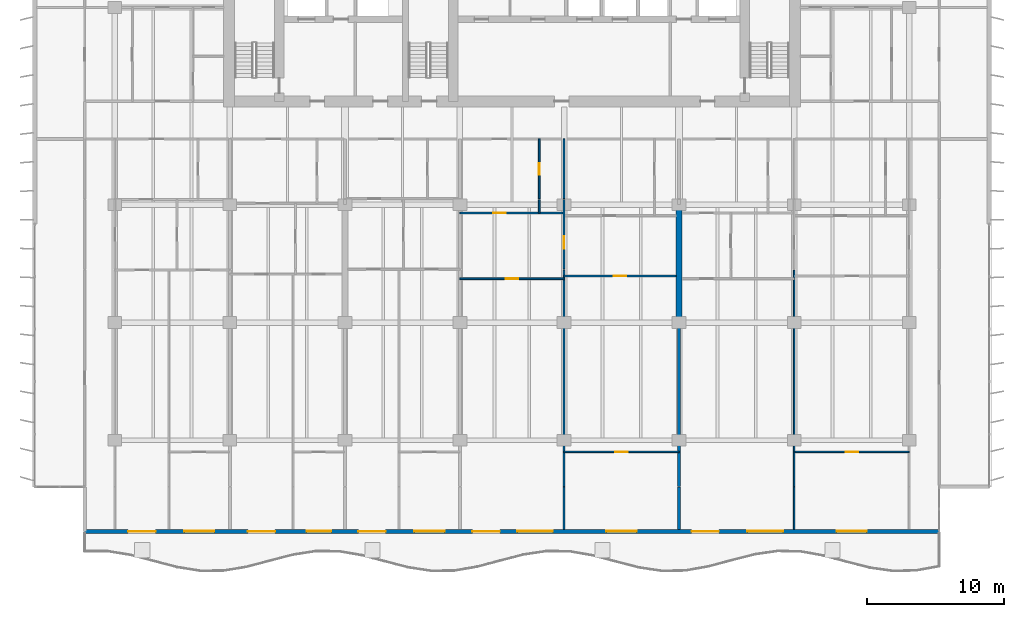
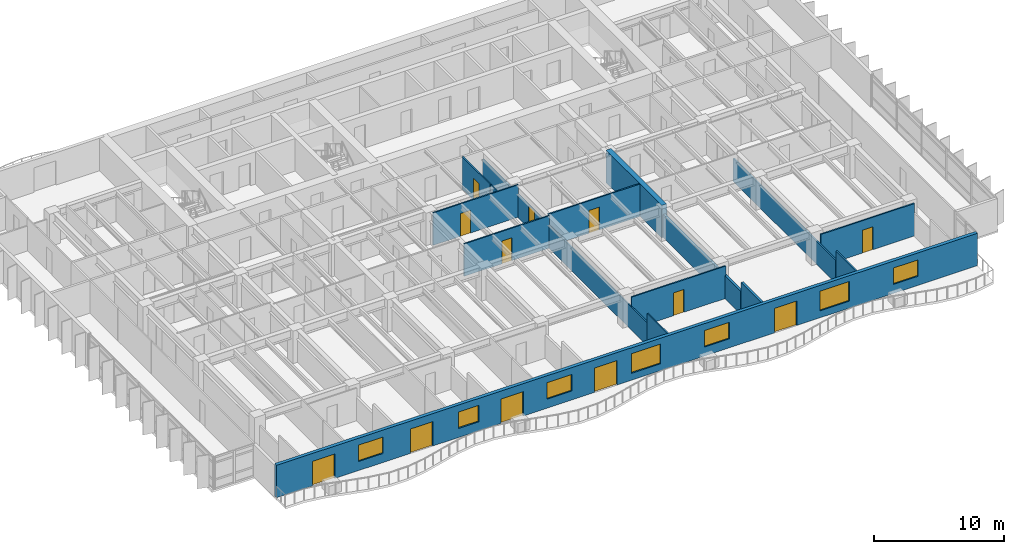
# One storey, part 8 of 16: 17 walls, 12 doors, 7 windows, 19 openings.
"""IFC4 building model written with IfcOpenShell, lengths in metres."""

from ifc_helpers import new_model, si_unit, direction, frame, frame_2d, origin, place, context, subcontext, project, spatial, rectangle, extrude, material, layer, layer_set, type_object, element, fill, save


model = new_model("IFC4")

# Units and contexts
model_context = context("Model", 3, precision=1e-05, world=origin(), true_north=direction((0.0, 1.0)))
body_context = subcontext(model_context, "Body", "Model", "MODEL_VIEW")
ifc_project = project(units=[si_unit("LENGTHUNIT", "METRE"), si_unit("AREAUNIT", "SQUARE_METRE"), si_unit("VOLUMEUNIT", "CUBIC_METRE"), si_unit("PLANEANGLEUNIT", "RADIAN"), si_unit("MASSUNIT", "GRAM", prefix="KILO")], contexts=[model_context])

# Site, building, storey
site_placement = place(None, origin())
site = spatial("IfcSite", under=ifc_project, at=site_placement, CompositionType="ELEMENT")
building_placement = place(site_placement, origin())
building = spatial("IfcBuilding", under=site, at=building_placement, Name="Caelmar Bay Residences", CompositionType="ELEMENT")
storey_placement = place(building_placement, frame((0.0, 0.0, 145.5)))
storey = spatial("IfcBuildingStorey", under=building, at=storey_placement, Name="L40", CompositionType="ELEMENT", Elevation=145.5)

# Wall
ifc_material_1 = material(Name="Concrete f'c 55 MPa (8,000 psi)", Category="concrete")
ifc_layer_1 = layer(ifc_material_1, 0.449951171875)
ifc_layer_set_1 = layer_set([ifc_layer_1], Name="Concrete f'c 55 MPa (8,000 psi)")
wall_type_1 = type_object("IfcWallType", Name="SW-XSLB-450", PredefinedType="SHEAR", material=ifc_layer_set_1)
wall_1_placement = place(storey_placement, frame((51.10009765625, 20.800048828125, 0.0), z_axis=(0.0, 0.0, 1.0), x_axis=(0.0, 1.0, 0.0)))
element("IfcWall", 1, at=wall_1_placement, inside=storey, type_object=wall_type_1, Name="L40 Transverse Cross-Slab Shear Wall E8", PredefinedType="SHEAR", context=body_context, shape_type="SweptSolid", body=[
    extrude(rectangle(XDim=8.599853515625, YDim=0.449951171875, at=frame_2d((4.2998046875, 0.0))), origin(), (0.0, 0.0, 1.0), 3.050048828125),
])

# Wall, openings, doors, windows
ifc_material_2 = material(Name="Precast concrete f'c 40 MPa (6,000 psi)", Category="concrete")
ifc_layer_2 = layer(ifc_material_2, 0.300048828125)
ifc_layer_set_2 = layer_set([ifc_layer_2], Name="Precast concrete f'c 40 MPa (6,000 psi)")
wall_type_2 = type_object("IfcWallType", Name="W-EXT-300", PredefinedType="STANDARD", material=ifc_layer_set_2)
wall_2_placement = place(storey_placement, frame((70.10009765625, 5.550048828125, 0.0), z_axis=(0.0, 0.0, 1.0), x_axis=(-1.0, 0.0, 0.0)))
wall_2 = element("IfcWall", 2, at=wall_2_placement, inside=storey, type_object=wall_type_2, Name="L40 South Bayfront Exterior Wall", PredefinedType="STANDARD", context=body_context, shape_type="SweptSolid", body=[
    extrude(rectangle(XDim=62.400146484375, YDim=0.300048828125, at=frame_2d((31.2001953125, 0.0))), origin(), (0.0, 0.0, 1.0), 3.050048828125),
])
opening_1_placement = place(wall_2_placement, frame((57.22607421875, 0.0, 0.0)))
opening_1 = element("IfcOpeningElement", 3, at=opening_1_placement, cuts=wall_2, Name="Opening L40-BD01", PredefinedType="OPENING", context=body_context, shape_type="SweptSolid", body=[
    extrude(rectangle(XDim=2.0, YDim=2.300048828125, at=frame_2d((1.0, 1.14990234375))), frame((0.0, 0.159912109375, 0.0), z_axis=(0.0, -1.0, 0.0), x_axis=(1.0, 0.0, 0.0)), (0.0, 0.0, 1.0), 0.320068359375),
])
opening_2_placement = place(wall_2_placement, frame((52.926025390625, 0.0, 0.85009765625)))
opening_2 = element("IfcOpeningElement", 4, at=opening_2_placement, cuts=wall_2, Name="Opening WN2", PredefinedType="OPENING", context=body_context, shape_type="SweptSolid", body=[
    extrude(rectangle(XDim=2.199951171875, YDim=1.550048828125, at=frame_2d((1.10009765625, 0.77490234375))), frame((0.0, 0.159912109375, 0.0), z_axis=(0.0, -1.0, 0.0), x_axis=(1.0, 0.0, 0.0)), (0.0, 0.0, 1.0), 0.320068359375),
])
opening_3_placement = place(wall_2_placement, frame((48.489990234375, 0.0, 0.0)))
opening_3 = element("IfcOpeningElement", 5, at=opening_3_placement, cuts=wall_2, Name="Opening L40-BD02", PredefinedType="OPENING", context=body_context, shape_type="SweptSolid", body=[
    extrude(rectangle(XDim=2.0, YDim=2.300048828125, at=frame_2d((1.0, 1.14990234375))), frame((0.0, 0.159912109375, 0.0), z_axis=(0.0, -1.0, 0.0), x_axis=(1.0, 0.0, 0.0)), (0.0, 0.0, 1.0), 0.320068359375),
])
opening_4_placement = place(wall_2_placement, frame((44.389892578125, 0.0, 0.85009765625)))
opening_4 = element("IfcOpeningElement", 6, at=opening_4_placement, cuts=wall_2, Name="Opening WN1", PredefinedType="OPENING", context=body_context, shape_type="SweptSolid", body=[
    extrude(rectangle(XDim=1.800048828125, YDim=1.550048828125, at=frame_2d((0.89990234375, 0.77490234375))), frame((0.0, 0.159912109375, 0.0), z_axis=(0.0, -1.0, 0.0), x_axis=(1.0, 0.0, 0.0)), (0.0, 0.0, 1.0), 0.320068359375),
])
opening_5_placement = place(wall_2_placement, frame((40.426025390625, 0.0, 0.0)))
opening_5 = element("IfcOpeningElement", 7, at=opening_5_placement, cuts=wall_2, Name="Opening L40-BD03", PredefinedType="OPENING", context=body_context, shape_type="SweptSolid", body=[
    extrude(rectangle(XDim=2.0, YDim=2.300048828125, at=frame_2d((1.0, 1.14990234375))), frame((0.0, 0.159912109375, 0.0), z_axis=(0.0, -1.0, 0.0), x_axis=(1.0, 0.0, 0.0)), (0.0, 0.0, 1.0), 0.320068359375),
])
opening_6_placement = place(wall_2_placement, frame((36.1259765625, 0.0, 0.85009765625)))
opening_6 = element("IfcOpeningElement", 8, at=opening_6_placement, cuts=wall_2, Name="Opening WN2", PredefinedType="OPENING", context=body_context, shape_type="SweptSolid", body=[
    extrude(rectangle(XDim=2.199951171875, YDim=1.550048828125, at=frame_2d((1.10009765625, 0.77490234375))), frame((0.0, 0.159912109375, 0.0), z_axis=(0.0, -1.0, 0.0), x_axis=(1.0, 0.0, 0.0)), (0.0, 0.0, 1.0), 0.320068359375),
])
opening_7_placement = place(wall_2_placement, frame((32.090087890625, 0.0, 0.0)))
opening_7 = element("IfcOpeningElement", 9, at=opening_7_placement, cuts=wall_2, Name="Opening L40-BD04", PredefinedType="OPENING", context=body_context, shape_type="SweptSolid", body=[
    extrude(rectangle(XDim=2.0, YDim=2.300048828125, at=frame_2d((1.0, 1.14990234375))), frame((0.0, 0.159912109375, 0.0), z_axis=(0.0, -1.0, 0.0), x_axis=(1.0, 0.0, 0.0)), (0.0, 0.0, 1.0), 0.320068359375),
])
opening_8_placement = place(wall_2_placement, frame((28.2099609375, 0.0, 0.64990234375)))
opening_8 = element("IfcOpeningElement", 10, at=opening_8_placement, cuts=wall_2, Name="Opening WN3", PredefinedType="OPENING", context=body_context, shape_type="SweptSolid", body=[
    extrude(rectangle(XDim=2.60009765625, YDim=1.85009765625, at=frame_2d((1.300048828125, 0.925048828125))), frame((0.0, 0.159912109375, 0.0), z_axis=(0.0, -1.0, 0.0), x_axis=(1.0, 0.0, 0.0)), (0.0, 0.0, 1.0), 0.320068359375),
])
opening_9_placement = place(wall_2_placement, frame((22.10009765625, 0.0, 0.85009765625)))
opening_9 = element("IfcOpeningElement", 11, at=opening_9_placement, cuts=wall_2, Name="Opening WN2", PredefinedType="OPENING", context=body_context, shape_type="SweptSolid", body=[
    extrude(rectangle(XDim=2.199951171875, YDim=1.550048828125, at=frame_2d((1.10009765625, 0.77490234375))), frame((0.0, 0.159912109375, 0.0), z_axis=(0.0, -1.0, 0.0), x_axis=(1.0, 0.0, 0.0)), (0.0, 0.0, 1.0), 0.320068359375),
])
opening_10_placement = place(wall_2_placement, frame((16.090087890625, 0.0, 0.0)))
opening_10 = element("IfcOpeningElement", 12, at=opening_10_placement, cuts=wall_2, Name="Opening L40-BD05", PredefinedType="OPENING", context=body_context, shape_type="SweptSolid", body=[
    extrude(rectangle(XDim=2.0, YDim=2.300048828125, at=frame_2d((1.0, 1.14990234375))), frame((0.0, 0.159912109375, 0.0), z_axis=(0.0, -1.0, 0.0), x_axis=(1.0, 0.0, 0.0)), (0.0, 0.0, 1.0), 0.320068359375),
])
opening_11_placement = place(wall_2_placement, frame((11.409912109375, 0.0, 0.64990234375)))
opening_11 = element("IfcOpeningElement", 13, at=opening_11_placement, cuts=wall_2, Name="Opening WN3", PredefinedType="OPENING", context=body_context, shape_type="SweptSolid", body=[
    extrude(rectangle(XDim=2.60009765625, YDim=1.85009765625, at=frame_2d((1.300048828125, 0.925048828125))), frame((0.0, 0.159912109375, 0.0), z_axis=(0.0, -1.0, 0.0), x_axis=(1.0, 0.0, 0.0)), (0.0, 0.0, 1.0), 0.320068359375),
])
opening_12_placement = place(wall_2_placement, frame((5.300048828125, 0.0, 0.85009765625)))
opening_12 = element("IfcOpeningElement", 14, at=opening_12_placement, cuts=wall_2, Name="Opening WN2", PredefinedType="OPENING", context=body_context, shape_type="SweptSolid", body=[
    extrude(rectangle(XDim=2.199951171875, YDim=1.550048828125, at=frame_2d((1.10009765625, 0.77490234375))), frame((0.0, 0.159912109375, 0.0), z_axis=(0.0, -1.0, 0.0), x_axis=(1.0, 0.0, 0.0)), (0.0, 0.0, 1.0), 0.320068359375),
])
ifc_material_3 = material(Name="Anodised bronze thermally broken sliding glass door", Category="glass")
ifc_layer_3 = layer(ifc_material_3, 0.050048828125)
ifc_layer_set_3 = layer_set([ifc_layer_3], Name="Anodised bronze thermally broken sliding glass door")
door_type_1 = type_object("IfcDoorType", Name="D-BAL-2000", OperationType="DOUBLE_DOOR_SLIDING", PredefinedType="DOOR", material=ifc_layer_set_3)
door_1_placement = place(opening_1_placement, origin())
door_1 = element("IfcDoor", 15, at=door_1_placement, inside=storey, type_object=door_type_1, Name="L40 Residence 01 Living Room Balcony Door", OperationType="DOUBLE_DOOR_SLIDING", OverallHeight=2.300048828125, OverallWidth=2.0, PredefinedType="DOOR", context=body_context, shape_type="SweptSolid", body=[
    extrude(rectangle(XDim=2.0, YDim=2.300048828125, at=frame_2d((1.0, 1.14990234375))), frame((0.0, 0.02490234375, 0.0), z_axis=(0.0, -1.0, 0.0), x_axis=(1.0, 0.0, 0.0)), (0.0, 0.0, 1.0), 0.050048828125),
])
fill(opening_1, door_1)
door_2_placement = place(opening_3_placement, origin())
door_2 = element("IfcDoor", 16, at=door_2_placement, inside=storey, type_object=door_type_1, Name="L40 Residence 02 Penthouse Living Salon Balcony Door", OperationType="DOUBLE_DOOR_SLIDING", OverallHeight=2.300048828125, OverallWidth=2.0, PredefinedType="DOOR", context=body_context, shape_type="SweptSolid", body=[
    extrude(rectangle(XDim=2.0, YDim=2.300048828125, at=frame_2d((1.0, 1.14990234375))), frame((0.0, 0.02490234375, 0.0), z_axis=(0.0, -1.0, 0.0), x_axis=(1.0, 0.0, 0.0)), (0.0, 0.0, 1.0), 0.050048828125),
])
fill(opening_3, door_2)
door_3_placement = place(opening_5_placement, origin())
door_3 = element("IfcDoor", 17, at=door_3_placement, inside=storey, type_object=door_type_1, Name="L40 Residence 03 Living Room Balcony Door", OperationType="DOUBLE_DOOR_SLIDING", OverallHeight=2.300048828125, OverallWidth=2.0, PredefinedType="DOOR", context=body_context, shape_type="SweptSolid", body=[
    extrude(rectangle(XDim=2.0, YDim=2.300048828125, at=frame_2d((1.0, 1.14990234375))), frame((0.0, 0.02490234375, 0.0), z_axis=(0.0, -1.0, 0.0), x_axis=(1.0, 0.0, 0.0)), (0.0, 0.0, 1.0), 0.050048828125),
])
fill(opening_5, door_3)
door_4_placement = place(opening_7_placement, origin())
door_4 = element("IfcDoor", 18, at=door_4_placement, inside=storey, type_object=door_type_1, Name="L40 Residence 04 Penthouse Living Salon Balcony Door", OperationType="DOUBLE_DOOR_SLIDING", OverallHeight=2.300048828125, OverallWidth=2.0, PredefinedType="DOOR", context=body_context, shape_type="SweptSolid", body=[
    extrude(rectangle(XDim=2.0, YDim=2.300048828125, at=frame_2d((1.0, 1.14990234375))), frame((0.0, 0.02490234375, 0.0), z_axis=(0.0, -1.0, 0.0), x_axis=(1.0, 0.0, 0.0)), (0.0, 0.0, 1.0), 0.050048828125),
])
fill(opening_7, door_4)
door_5_placement = place(opening_10_placement, origin())
door_5 = element("IfcDoor", 19, at=door_5_placement, inside=storey, type_object=door_type_1, Name="L40 Residence 05 Penthouse Living Salon Balcony Door", OperationType="DOUBLE_DOOR_SLIDING", OverallHeight=2.300048828125, OverallWidth=2.0, PredefinedType="DOOR", context=body_context, shape_type="SweptSolid", body=[
    extrude(rectangle(XDim=2.0, YDim=2.300048828125, at=frame_2d((1.0, 1.14990234375))), frame((0.0, 0.02490234375, 0.0), z_axis=(0.0, -1.0, 0.0), x_axis=(1.0, 0.0, 0.0)), (0.0, 0.0, 1.0), 0.050048828125),
])
fill(opening_10, door_5)
ifc_material_4 = material(Name="Bronze aluminium frame with laminated low-E glass", Category="aluminium")
ifc_layer_4 = layer(ifc_material_4, 0.06005859375)
ifc_layer_set_4 = layer_set([ifc_layer_4], Name="Bronze aluminium frame with laminated low-E glass")
window_type_1 = type_object("IfcWindowType", Name="WIN-BR-1800", PartitioningType="SINGLE_PANEL", PredefinedType="WINDOW", material=ifc_layer_set_4)
window_1_placement = place(opening_4_placement, origin())
window_1 = element("IfcWindow", 20, at=window_1_placement, inside=storey, type_object=window_type_1, Name="L40 Residence 02 Primary Bedroom Window", OverallHeight=1.550048828125, OverallWidth=1.800048828125, PartitioningType="SINGLE_PANEL", PredefinedType="WINDOW", context=body_context, shape_type="SweptSolid", body=[
    extrude(rectangle(XDim=1.800048828125, YDim=1.550048828125, at=frame_2d((0.89990234375, 0.77490234375))), frame((0.0, 0.030029296875, 0.0), z_axis=(0.0, -1.0, 0.0), x_axis=(1.0, 0.0, 0.0)), (0.0, 0.0, 1.0), 0.06005859375),
])
fill(opening_4, window_1)
ifc_layer_5 = layer(ifc_material_4, 0.06005859375)
ifc_layer_set_5 = layer_set([ifc_layer_5], Name="Bronze aluminium frame with laminated low-E glass")
window_type_2 = type_object("IfcWindowType", Name="WIN-BR-2200", PartitioningType="SINGLE_PANEL", PredefinedType="WINDOW", material=ifc_layer_set_5)
window_2_placement = place(opening_2_placement, origin())
window_2 = element("IfcWindow", 21, at=window_2_placement, inside=storey, type_object=window_type_2, Name="L40 Residence 01 Primary Bedroom Window", OverallHeight=1.550048828125, OverallWidth=2.199951171875, PartitioningType="SINGLE_PANEL", PredefinedType="WINDOW", context=body_context, shape_type="SweptSolid", body=[
    extrude(rectangle(XDim=2.199951171875, YDim=1.550048828125, at=frame_2d((1.10009765625, 0.77490234375))), frame((0.0, 0.030029296875, 0.0), z_axis=(0.0, -1.0, 0.0), x_axis=(1.0, 0.0, 0.0)), (0.0, 0.0, 1.0), 0.06005859375),
])
fill(opening_2, window_2)
window_3_placement = place(opening_6_placement, origin())
window_3 = element("IfcWindow", 22, at=window_3_placement, inside=storey, type_object=window_type_2, Name="L40 Residence 03 Primary Bedroom Window", OverallHeight=1.550048828125, OverallWidth=2.199951171875, PartitioningType="SINGLE_PANEL", PredefinedType="WINDOW", context=body_context, shape_type="SweptSolid", body=[
    extrude(rectangle(XDim=2.199951171875, YDim=1.550048828125, at=frame_2d((1.10009765625, 0.77490234375))), frame((0.0, 0.030029296875, 0.0), z_axis=(0.0, -1.0, 0.0), x_axis=(1.0, 0.0, 0.0)), (0.0, 0.0, 1.0), 0.06005859375),
])
fill(opening_6, window_3)
window_4_placement = place(opening_9_placement, origin())
window_4 = element("IfcWindow", 23, at=window_4_placement, inside=storey, type_object=window_type_2, Name="L40 Residence 04 Primary Bedroom 1 Window", OverallHeight=1.550048828125, OverallWidth=2.199951171875, PartitioningType="SINGLE_PANEL", PredefinedType="WINDOW", context=body_context, shape_type="SweptSolid", body=[
    extrude(rectangle(XDim=2.199951171875, YDim=1.550048828125, at=frame_2d((1.10009765625, 0.77490234375))), frame((0.0, 0.030029296875, 0.0), z_axis=(0.0, -1.0, 0.0), x_axis=(1.0, 0.0, 0.0)), (0.0, 0.0, 1.0), 0.06005859375),
])
fill(opening_9, window_4)
window_5_placement = place(opening_12_placement, origin())
window_5 = element("IfcWindow", 24, at=window_5_placement, inside=storey, type_object=window_type_2, Name="L40 Residence 05 Primary Bedroom 1 Window", OverallHeight=1.550048828125, OverallWidth=2.199951171875, PartitioningType="SINGLE_PANEL", PredefinedType="WINDOW", context=body_context, shape_type="SweptSolid", body=[
    extrude(rectangle(XDim=2.199951171875, YDim=1.550048828125, at=frame_2d((1.10009765625, 0.77490234375))), frame((0.0, 0.030029296875, 0.0), z_axis=(0.0, -1.0, 0.0), x_axis=(1.0, 0.0, 0.0)), (0.0, 0.0, 1.0), 0.06005859375),
])
fill(opening_12, window_5)
ifc_layer_6 = layer(ifc_material_4, 0.06005859375)
ifc_layer_set_6 = layer_set([ifc_layer_6], Name="Bronze aluminium frame with laminated low-E glass")
window_type_3 = type_object("IfcWindowType", Name="WIN-LIV-2600", PartitioningType="SINGLE_PANEL", PredefinedType="WINDOW", material=ifc_layer_set_6)
window_6_placement = place(opening_8_placement, origin())
window_6 = element("IfcWindow", 25, at=window_6_placement, inside=storey, type_object=window_type_3, Name="L40 Residence 04 Penthouse Living Salon Panoramic Window", OverallHeight=1.85009765625, OverallWidth=2.60009765625, PartitioningType="SINGLE_PANEL", PredefinedType="WINDOW", context=body_context, shape_type="SweptSolid", body=[
    extrude(rectangle(XDim=2.60009765625, YDim=1.85009765625, at=frame_2d((1.300048828125, 0.925048828125))), frame((0.0, 0.030029296875, 0.0), z_axis=(0.0, -1.0, 0.0), x_axis=(1.0, 0.0, 0.0)), (0.0, 0.0, 1.0), 0.06005859375),
])
fill(opening_8, window_6)
window_7_placement = place(opening_11_placement, origin())
window_7 = element("IfcWindow", 26, at=window_7_placement, inside=storey, type_object=window_type_3, Name="L40 Residence 05 Penthouse Living Salon Panoramic Window", OverallHeight=1.85009765625, OverallWidth=2.60009765625, PartitioningType="SINGLE_PANEL", PredefinedType="WINDOW", context=body_context, shape_type="SweptSolid", body=[
    extrude(rectangle(XDim=2.60009765625, YDim=1.85009765625, at=frame_2d((1.300048828125, 0.925048828125))), frame((0.0, 0.030029296875, 0.0), z_axis=(0.0, -1.0, 0.0), x_axis=(1.0, 0.0, 0.0)), (0.0, 0.0, 1.0), 0.06005859375),
])
fill(opening_11, window_7)

# Wall
ifc_material_5 = material(Name="Acoustic metal-stud gypsum partition 120 mm")
ifc_layer_7 = layer(ifc_material_5, 0.1201171875)
ifc_layer_set_7 = layer_set([ifc_layer_7], Name="Acoustic metal-stud gypsum partition 120 mm")
wall_type_3 = type_object("IfcWallType", Name="W-PRT-120", PredefinedType="PARTITIONING", material=ifc_layer_set_7)
wall_3_placement = place(storey_placement, frame((40.885009765625, 28.800048828125, 0.0), z_axis=(0.0, 0.0, 1.0), x_axis=(0.0, 1.0, 0.0)))
element("IfcWall", 27, at=wall_3_placement, inside=storey, type_object=wall_type_3, Name="L40 Partition Wall V047", PredefinedType="PARTITIONING", context=body_context, shape_type="SweptSolid", body=[
    extrude(rectangle(XDim=0.97998046875, YDim=0.1201171875, at=frame_2d((0.489990234375, 0.0))), origin(), (0.0, 0.0, 1.0), 3.050048828125),
])

# Wall, opening, door
wall_4_placement = place(storey_placement, frame((40.885009765625, 29.840087890625, 0.0), z_axis=(0.0, 0.0, 1.0), x_axis=(0.0, 1.0, 0.0)))
wall_4 = element("IfcWall", 28, at=wall_4_placement, inside=storey, type_object=wall_type_3, Name="L40 Partition Wall V048", PredefinedType="PARTITIONING", context=body_context, shape_type="SweptSolid", body=[
    extrude(rectangle(XDim=4.35986328125, YDim=0.1201171875, at=frame_2d((2.179931640625, 0.0))), origin(), (0.0, 0.0, 1.0), 3.050048828125),
])
opening_13_placement = place(wall_4_placement, frame((1.7548828125, 0.0, 0.0)))
opening_13 = element("IfcOpeningElement", 29, at=opening_13_placement, cuts=wall_4, Name="Opening D-L40-147", PredefinedType="OPENING", context=body_context, shape_type="SweptSolid", body=[
    extrude(rectangle(XDim=0.85009765625, YDim=2.10009765625, at=frame_2d((0.425048828125, 1.050048828125))), frame((0.0, 0.070068359375, 0.0), z_axis=(0.0, -1.0, 0.0), x_axis=(1.0, 0.0, 0.0)), (0.0, 0.0, 1.0), 0.14013671875),
])
ifc_material_6 = material(Name="Solid walnut timber interior door leaf and frame", Category="wood")
ifc_layer_8 = layer(ifc_material_6, 0.050048828125)
ifc_layer_set_8 = layer_set([ifc_layer_8], Name="Solid walnut timber interior door leaf and frame")
door_type_2 = type_object("IfcDoorType", Name="D-BATH-850", OperationType="NOTDEFINED", PredefinedType="DOOR", material=ifc_layer_set_8)
door_6_placement = place(opening_13_placement, origin())
door_6 = element("IfcDoor", 30, at=door_6_placement, inside=storey, type_object=door_type_2, Name="L40 Residence 04 Guest Bathroom Door", OperationType="SINGLE_SWING_LEFT", OverallHeight=2.10009765625, OverallWidth=0.85009765625, PredefinedType="DOOR", context=body_context, shape_type="SweptSolid", body=[
    extrude(rectangle(XDim=0.85009765625, YDim=2.10009765625, at=frame_2d((0.425048828125, 1.050048828125))), frame((0.0, 0.02490234375, 0.0), z_axis=(0.0, -1.0, 0.0), x_axis=(1.0, 0.0, 0.0)), (0.0, 0.0, 1.0), 0.050048828125),
])
fill(opening_13, door_6)

# Walls
wall_5_placement = place(storey_placement, frame((42.699951171875, 5.695068359375, 0.0), z_axis=(0.0, 0.0, 1.0), x_axis=(0.0, 1.0, 0.0)))
element("IfcWall", 31, at=wall_5_placement, inside=storey, type_object=wall_type_3, Name="L40 Partition Wall V049", PredefinedType="PARTITIONING", context=body_context, shape_type="SweptSolid", body=[
    extrude(rectangle(XDim=3.10498046875, YDim=0.1201171875, at=frame_2d((1.552490234375, 0.0))), origin(), (0.0, 0.0, 1.0), 3.050048828125),
])
wall_6_placement = place(storey_placement, frame((42.699951171875, 8.840087890625, 0.0), z_axis=(0.0, 0.0, 1.0), x_axis=(0.0, 1.0, 0.0)))
element("IfcWall", 32, at=wall_6_placement, inside=storey, type_object=wall_type_3, Name="L40 Partition Wall V050", PredefinedType="PARTITIONING", context=body_context, shape_type="SweptSolid", body=[
    extrude(rectangle(XDim=15.789794921875, YDim=0.1201171875, at=frame_2d((7.89501953125, 0.0))), origin(), (0.0, 0.0, 1.0), 2.174072265625),
])

# Wall, opening, door
wall_7_placement = place(storey_placement, frame((42.699951171875, 24.68994140625, 0.0), z_axis=(0.0, 0.0, 1.0), x_axis=(0.0, 1.0, 0.0)))
wall_7 = element("IfcWall", 33, at=wall_7_placement, inside=storey, type_object=wall_type_3, Name="L40 Partition Wall V051", PredefinedType="PARTITIONING", context=body_context, shape_type="SweptSolid", body=[
    extrude(rectangle(XDim=5.090087890625, YDim=0.1201171875, at=frame_2d((2.544921875, 0.0))), origin(), (0.0, 0.0, 1.0), 2.174072265625),
])
opening_14_placement = place(wall_7_placement, frame((1.5048828125, 0.0, 0.0)))
opening_14 = element("IfcOpeningElement", 34, at=opening_14_placement, cuts=wall_7, Name="Opening D-L40-150", PredefinedType="OPENING", context=body_context, shape_type="SweptSolid", body=[
    extrude(rectangle(XDim=0.89990234375, YDim=2.1240234375, at=frame_2d((0.449951171875, 1.06201171875))), frame((0.0, 0.070068359375, 0.0), z_axis=(0.0, -1.0, 0.0), x_axis=(1.0, 0.0, 0.0)), (0.0, 0.0, 1.0), 0.14013671875),
])
ifc_layer_9 = layer(ifc_material_6, 0.050048828125)
ifc_layer_set_9 = layer_set([ifc_layer_9], Name="Solid walnut timber interior door leaf and frame")
door_type_3 = type_object("IfcDoorType", Name="D-ROOM-900", OperationType="NOTDEFINED", PredefinedType="DOOR", material=ifc_layer_set_9)
door_7_placement = place(opening_14_placement, origin())
door_7 = element("IfcDoor", 35, at=door_7_placement, inside=storey, type_object=door_type_3, Name="L40 Residence 04 Atelier Office 1 Door", OperationType="SINGLE_SWING_RIGHT", OverallHeight=2.1240234375, OverallWidth=0.89990234375, PredefinedType="DOOR", context=body_context, shape_type="SweptSolid", body=[
    extrude(rectangle(XDim=0.89990234375, YDim=2.1240234375, at=frame_2d((0.449951171875, 1.06201171875))), frame((0.0, 0.02490234375, 0.0), z_axis=(0.0, -1.0, 0.0), x_axis=(1.0, 0.0, 0.0)), (0.0, 0.0, 1.0), 0.050048828125),
])
fill(opening_14, door_7)

# Walls
wall_8_placement = place(storey_placement, frame((42.699951171875, 29.840087890625, 0.0), z_axis=(0.0, 0.0, 1.0), x_axis=(0.0, 1.0, 0.0)))
element("IfcWall", 36, at=wall_8_placement, inside=storey, type_object=wall_type_3, Name="L40 Partition Wall V052", PredefinedType="PARTITIONING", context=body_context, shape_type="SweptSolid", body=[
    extrude(rectangle(XDim=4.35986328125, YDim=0.1201171875, at=frame_2d((2.179931640625, 0.0))), origin(), (0.0, 0.0, 1.0), 2.174072265625),
])
wall_9_placement = place(storey_placement, frame((59.5, 5.695068359375, 0.0), z_axis=(0.0, 0.0, 1.0), x_axis=(0.0, 1.0, 0.0)))
element("IfcWall", 37, at=wall_9_placement, inside=storey, type_object=wall_type_3, Name="L40 Partition Wall V072", PredefinedType="PARTITIONING", context=body_context, shape_type="SweptSolid", body=[
    extrude(rectangle(XDim=3.10498046875, YDim=0.1201171875, at=frame_2d((1.552490234375, 0.0))), origin(), (0.0, 0.0, 1.0), 3.050048828125),
])
wall_10_placement = place(storey_placement, frame((59.5, 8.840087890625, 0.0), z_axis=(0.0, 0.0, 1.0), x_axis=(0.0, 1.0, 0.0)))
element("IfcWall", 38, at=wall_10_placement, inside=storey, type_object=wall_type_3, Name="L40 Partition Wall V073", PredefinedType="PARTITIONING", context=body_context, shape_type="SweptSolid", body=[
    extrude(rectangle(XDim=15.789794921875, YDim=0.1201171875, at=frame_2d((7.89501953125, 0.0))), origin(), (0.0, 0.0, 1.0), 2.174072265625),
])

# Wall, opening, door
wall_11_placement = place(storey_placement, frame((42.699951171875, 11.35009765625, 0.0), z_axis=(0.0, 0.0, 1.0), x_axis=(1.0, 0.0, 0.0)))
wall_11 = element("IfcWall", 39, at=wall_11_placement, inside=storey, type_object=wall_type_3, Name="L40 Partition Wall H093", PredefinedType="PARTITIONING", context=body_context, shape_type="SweptSolid", body=[
    extrude(rectangle(XDim=8.400146484375, YDim=0.1201171875, at=frame_2d((4.2001953125, 0.0))), origin(), (0.0, 0.0, 1.0), 3.050048828125),
])
opening_15_placement = place(wall_11_placement, frame((3.75, 0.0, 0.0)))
opening_15 = element("IfcOpeningElement", 40, at=opening_15_placement, cuts=wall_11, Name="Opening D-L40-154", PredefinedType="OPENING", context=body_context, shape_type="SweptSolid", body=[
    extrude(rectangle(XDim=0.89990234375, YDim=2.14990234375, at=frame_2d((0.449951171875, 1.074951171875))), frame((0.0, 0.070068359375, 0.0), z_axis=(0.0, -1.0, 0.0), x_axis=(1.0, 0.0, 0.0)), (0.0, 0.0, 1.0), 0.14013671875),
])
door_8_placement = place(opening_15_placement, origin())
door_8 = element("IfcDoor", 41, at=door_8_placement, inside=storey, type_object=door_type_3, Name="L40 Residence 04 Primary Bedroom 1 Door", OperationType="SINGLE_SWING_RIGHT", OverallHeight=2.14990234375, OverallWidth=0.89990234375, PredefinedType="DOOR", context=body_context, shape_type="SweptSolid", body=[
    extrude(rectangle(XDim=0.89990234375, YDim=2.14990234375, at=frame_2d((0.449951171875, 1.074951171875))), frame((0.0, 0.02490234375, 0.0), z_axis=(0.0, -1.0, 0.0), x_axis=(1.0, 0.0, 0.0)), (0.0, 0.0, 1.0), 0.050048828125),
])
fill(opening_15, door_8)

wall_12_placement = place(storey_placement, frame((59.550048828125, 11.35009765625, 0.0), z_axis=(0.0, 0.0, 1.0), x_axis=(1.0, 0.0, 0.0)))
wall_12 = element("IfcWall", 42, at=wall_12_placement, inside=storey, type_object=wall_type_3, Name="L40 Partition Wall H094", PredefinedType="PARTITIONING", context=body_context, shape_type="SweptSolid", body=[
    extrude(rectangle(XDim=8.349853515625, YDim=0.1201171875, at=frame_2d((4.1748046875, 0.0))), origin(), (0.0, 0.0, 1.0), 3.050048828125),
])
opening_16_placement = place(wall_12_placement, frame((3.72509765625, 0.0, 0.0)))
opening_16 = element("IfcOpeningElement", 43, at=opening_16_placement, cuts=wall_12, Name="Opening D-L40-164", PredefinedType="OPENING", context=body_context, shape_type="SweptSolid", body=[
    extrude(rectangle(XDim=0.89990234375, YDim=2.14990234375, at=frame_2d((0.449951171875, 1.074951171875))), frame((0.0, 0.070068359375, 0.0), z_axis=(0.0, -1.0, 0.0), x_axis=(1.0, 0.0, 0.0)), (0.0, 0.0, 1.0), 0.14013671875),
])
door_9_placement = place(opening_16_placement, origin())
door_9 = element("IfcDoor", 44, at=door_9_placement, inside=storey, type_object=door_type_3, Name="L40 Residence 05 Primary Bedroom 1 Door", OperationType="SINGLE_SWING_RIGHT", OverallHeight=2.14990234375, OverallWidth=0.89990234375, PredefinedType="DOOR", context=body_context, shape_type="SweptSolid", body=[
    extrude(rectangle(XDim=0.89990234375, YDim=2.14990234375, at=frame_2d((0.449951171875, 1.074951171875))), frame((0.0, 0.02490234375, 0.0), z_axis=(0.0, -1.0, 0.0), x_axis=(1.0, 0.0, 0.0)), (0.0, 0.0, 1.0), 0.050048828125),
])
fill(opening_16, door_9)

wall_13_placement = place(storey_placement, frame((35.10009765625, 24.0, 0.0), z_axis=(0.0, 0.0, 1.0), x_axis=(1.0, 0.0, 0.0)))
wall_13 = element("IfcWall", 45, at=wall_13_placement, inside=storey, type_object=wall_type_3, Name="L40 Partition Wall H095", PredefinedType="PARTITIONING", context=body_context, shape_type="SweptSolid", body=[
    extrude(rectangle(XDim=7.599853515625, YDim=0.1201171875, at=frame_2d((3.7998046875, 0.0))), origin(), (0.0, 0.0, 1.0), 3.050048828125),
])
opening_17_placement = place(wall_13_placement, frame((3.35009765625, 0.0, 0.0)))
opening_17 = element("IfcOpeningElement", 46, at=opening_17_placement, cuts=wall_13, Name="Opening D-L40-149", PredefinedType="OPENING", context=body_context, shape_type="SweptSolid", body=[
    extrude(rectangle(XDim=0.89990234375, YDim=2.14990234375, at=frame_2d((0.449951171875, 1.074951171875))), frame((0.0, 0.070068359375, 0.0), z_axis=(0.0, -1.0, 0.0), x_axis=(1.0, 0.0, 0.0)), (0.0, 0.0, 1.0), 0.14013671875),
])
door_10_placement = place(opening_17_placement, origin())
door_10 = element("IfcDoor", 47, at=door_10_placement, inside=storey, type_object=door_type_3, Name="L40 Residence 04 Penthouse Living Salon Door", OperationType="SINGLE_SWING_LEFT", OverallHeight=2.14990234375, OverallWidth=0.89990234375, PredefinedType="DOOR", context=body_context, shape_type="SweptSolid", body=[
    extrude(rectangle(XDim=0.89990234375, YDim=2.14990234375, at=frame_2d((0.449951171875, 1.074951171875))), frame((0.0, 0.02490234375, 0.0), z_axis=(0.0, -1.0, 0.0), x_axis=(1.0, 0.0, 0.0)), (0.0, 0.0, 1.0), 0.050048828125),
])
fill(opening_17, door_10)

wall_14_placement = place(storey_placement, frame((42.705078125, 24.199951171875, 0.0), z_axis=(0.0, 0.0, 1.0), x_axis=(1.0, 0.0, 0.0)))
wall_14 = element("IfcWall", 48, at=wall_14_placement, inside=storey, type_object=wall_type_3, Name="L40 Partition Wall H097", PredefinedType="PARTITIONING", context=body_context, shape_type="SweptSolid", body=[
    extrude(rectangle(XDim=8.1748046875, YDim=0.1201171875, at=frame_2d((4.08740234375, 0.0))), origin(), (0.0, 0.0, 1.0), 3.050048828125),
])
opening_18_placement = place(wall_14_placement, frame((3.637451171875, 0.0, 0.0)))
opening_18 = element("IfcOpeningElement", 49, at=opening_18_placement, cuts=wall_14, Name="Opening D-L40-153", PredefinedType="OPENING", context=body_context, shape_type="SweptSolid", body=[
    extrude(rectangle(XDim=0.89990234375, YDim=2.14990234375, at=frame_2d((0.449951171875, 1.074951171875))), frame((0.0, 0.070068359375, 0.0), z_axis=(0.0, -1.0, 0.0), x_axis=(1.0, 0.0, 0.0)), (0.0, 0.0, 1.0), 0.14013671875),
])
door_11_placement = place(opening_18_placement, origin())
door_11 = element("IfcDoor", 50, at=door_11_placement, inside=storey, type_object=door_type_3, Name="L40 Residence 04 Penthouse Sitting Salon 1 Door", OperationType="SINGLE_SWING_LEFT", OverallHeight=2.14990234375, OverallWidth=0.89990234375, PredefinedType="DOOR", context=body_context, shape_type="SweptSolid", body=[
    extrude(rectangle(XDim=0.89990234375, YDim=2.14990234375, at=frame_2d((0.449951171875, 1.074951171875))), frame((0.0, 0.02490234375, 0.0), z_axis=(0.0, -1.0, 0.0), x_axis=(1.0, 0.0, 0.0)), (0.0, 0.0, 1.0), 0.050048828125),
])
fill(opening_18, door_11)

wall_15_placement = place(storey_placement, frame((35.10009765625, 28.800048828125, 0.0), z_axis=(0.0, 0.0, 1.0), x_axis=(1.0, 0.0, 0.0)))
wall_15 = element("IfcWall", 51, at=wall_15_placement, inside=storey, type_object=wall_type_3, Name="L40 Partition Wall H104", PredefinedType="PARTITIONING", context=body_context, shape_type="SweptSolid", body=[
    extrude(rectangle(XDim=7.594970703125, YDim=0.1201171875, at=frame_2d((3.79736328125, 0.0))), origin(), (0.0, 0.0, 1.0), 3.050048828125),
])
opening_19_placement = place(wall_15_placement, frame((2.4423828125, 0.0, 0.0)))
opening_19 = element("IfcOpeningElement", 52, at=opening_19_placement, cuts=wall_15, Name="Opening D-L40-148", PredefinedType="OPENING", context=body_context, shape_type="SweptSolid", body=[
    extrude(rectangle(XDim=0.89990234375, YDim=2.14990234375, at=frame_2d((0.449951171875, 1.074951171875))), frame((0.0, 0.070068359375, 0.0), z_axis=(0.0, -1.0, 0.0), x_axis=(1.0, 0.0, 0.0)), (0.0, 0.0, 1.0), 0.14013671875),
])
door_12_placement = place(opening_19_placement, origin())
door_12 = element("IfcDoor", 53, at=door_12_placement, inside=storey, type_object=door_type_3, Name="L40 Residence 04 Kitchen Door", OperationType="SINGLE_SWING_RIGHT", OverallHeight=2.14990234375, OverallWidth=0.89990234375, PredefinedType="DOOR", context=body_context, shape_type="SweptSolid", body=[
    extrude(rectangle(XDim=0.89990234375, YDim=2.14990234375, at=frame_2d((0.449951171875, 1.074951171875))), frame((0.0, 0.02490234375, 0.0), z_axis=(0.0, -1.0, 0.0), x_axis=(1.0, 0.0, 0.0)), (0.0, 0.0, 1.0), 0.050048828125),
])
fill(opening_19, door_12)

# Walls
ifc_material_7 = material(Name="Acoustic twin-stud fire-rated inter-tenancy partition 200 mm")
ifc_layer_10 = layer(ifc_material_7, 0.199951171875)
ifc_layer_set_10 = layer_set([ifc_layer_10], Name="Acoustic twin-stud fire-rated inter-tenancy partition 200 mm")
wall_type_4 = type_object("IfcWallType", Name="W-PTY-200", PredefinedType="PARTITIONING", material=ifc_layer_set_10)
wall_16_placement = place(storey_placement, frame((51.10009765625, 5.695068359375, 0.0), z_axis=(0.0, 0.0, 1.0), x_axis=(0.0, 1.0, 0.0)))
element("IfcWall", 54, at=wall_16_placement, inside=storey, type_object=wall_type_4, Name="L40 Partition Wall V061", PredefinedType="PARTITIONING", context=body_context, shape_type="SweptSolid", body=[
    extrude(rectangle(XDim=3.10498046875, YDim=0.199951171875, at=frame_2d((1.552490234375, 0.0))), origin(), (0.0, 0.0, 1.0), 3.050048828125),
])
wall_17_placement = place(storey_placement, frame((51.10009765625, 8.840087890625, 0.0), z_axis=(0.0, 0.0, 1.0), x_axis=(0.0, 1.0, 0.0)))
element("IfcWall", 55, at=wall_17_placement, inside=storey, type_object=wall_type_4, Name="L40 Partition Wall V062", PredefinedType="PARTITIONING", context=body_context, shape_type="SweptSolid", body=[
    extrude(rectangle(XDim=11.954833984375, YDim=0.199951171875, at=frame_2d((5.9775390625, 0.0))), origin(), (0.0, 0.0, 1.0), 2.174072265625),
])

save(model, "model.ifc")
